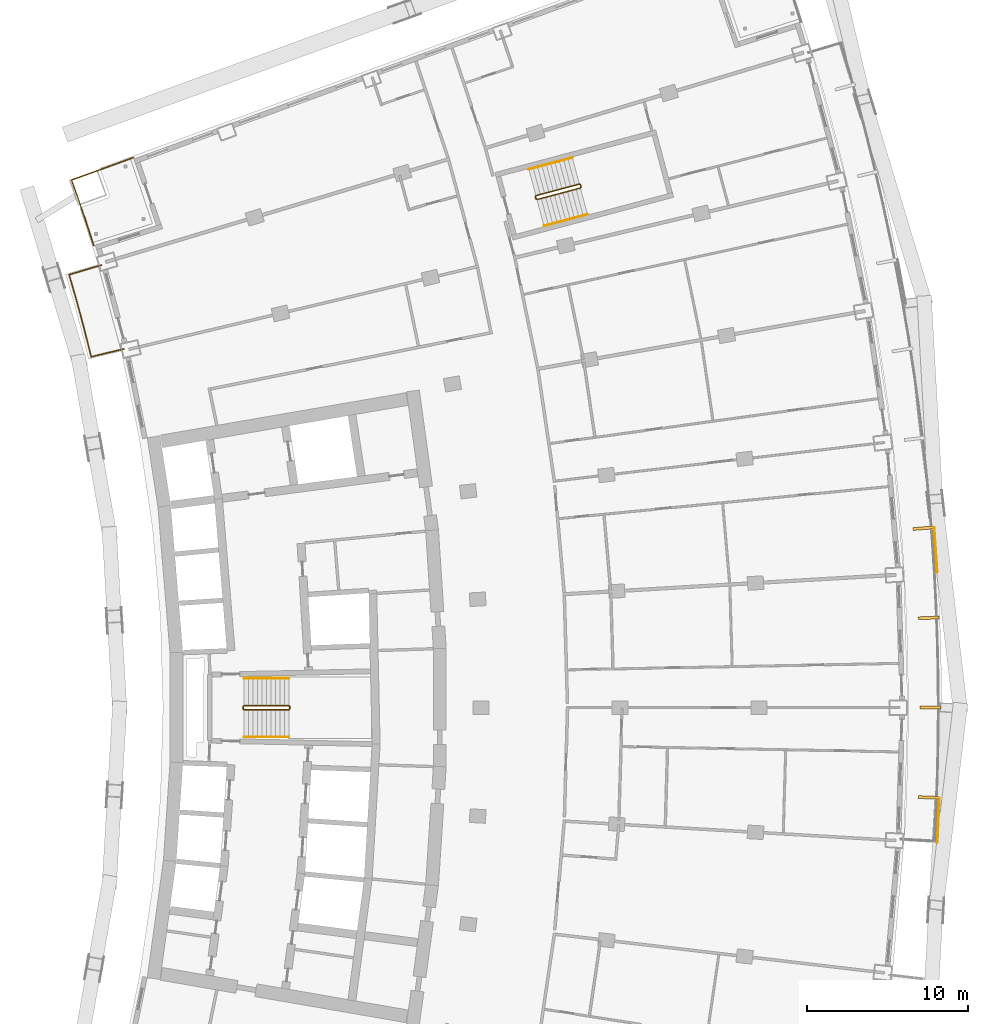
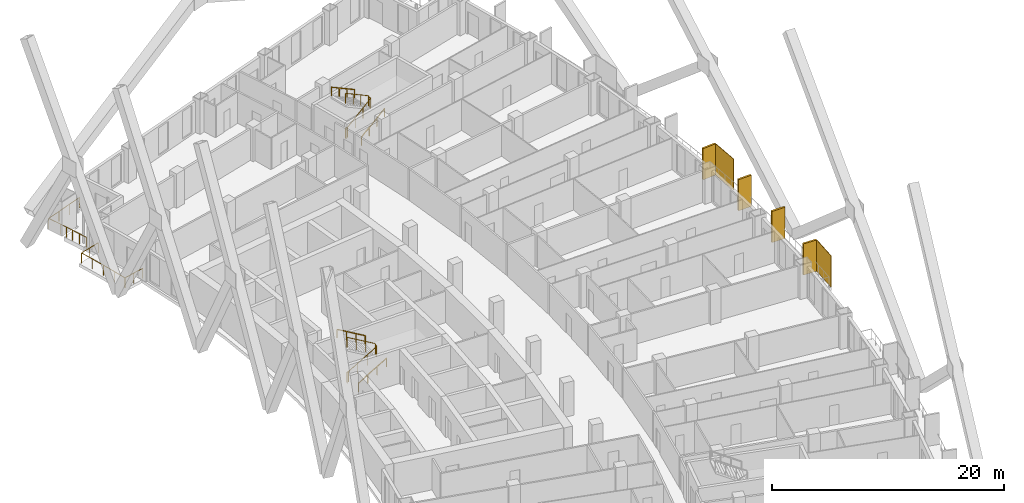
# One storey, part 25 of 26: 8 railings, 6 shading devices.
"""IFC4 building model written with IfcOpenShell, lengths in metres."""

from ifc_helpers import new_model, si_unit, direction, frame, origin, origin_with_axes, origin_2d, place, context, subcontext, project, spatial, rectangle, extrude, material, layer, layer_set, type_object, element, save


model = new_model("IFC4")

# Units and contexts
model_context = context("Model", 3, precision=1e-05, world=origin(), true_north=direction((0.0, 1.0)))
body_context = subcontext(model_context, "Body", "Model", "MODEL_VIEW")
ifc_project = project(units=[si_unit("LENGTHUNIT", "METRE"), si_unit("AREAUNIT", "SQUARE_METRE"), si_unit("VOLUMEUNIT", "CUBIC_METRE"), si_unit("PLANEANGLEUNIT", "RADIAN"), si_unit("MASSUNIT", "GRAM", prefix="KILO")], contexts=[model_context])

# Site, building, storey
site_placement = place(None, origin())
site = spatial("IfcSite", under=ifc_project, at=site_placement, CompositionType="ELEMENT")
building_placement = place(site_placement, origin())
building = spatial("IfcBuilding", under=site, at=building_placement, Name="Alderwake Tower", CompositionType="ELEMENT")
storey_placement = place(building_placement, frame((0.0, 0.0, 82.39990234375)))
storey = spatial("IfcBuildingStorey", under=building, at=storey_placement, Name="L19", CompositionType="ELEMENT", Elevation=82.39990234375)

# Railings
ifc_material_1 = material(Name="Stainless steel 316 rail and posts", Category="steel")
railing_type_1 = type_object("IfcRailingType", Name="Balcony guard 1100", PredefinedType="GUARDRAIL", material=ifc_material_1)
railing_1_placement = place(storey_placement, frame((13.5693359375, 83.343017578125, 0.0)))
element("IfcRailing", 1, at=railing_1_placement, inside=storey, type_object=railing_type_1, Name="Guard BR11", PredefinedType="GUARDRAIL", context=body_context, shape_type="SweptSolid", body=[
    extrude(rectangle(XDim=0.048095703125, YDim=0.048095703125, at=origin_2d()), frame((0.0, 0.0, 1.076171875), z_axis=(-0.972646310656, -0.232291098337, 0.0), x_axis=(0.232291098337, -0.972646310656, 0.0)), (0.0, 0.0, 1.0), 2.099853515625),
    extrude(rectangle(XDim=0.048095703125, YDim=0.048095703125, at=origin_2d()), frame((-2.04248046875, -0.48779296875, 1.076171875), z_axis=(-0.238877101641, 0.971049808358, 0.0), x_axis=(-0.971049808358, -0.238877101641, 0.0)), (0.0, 0.0, 1.0), 1.2724609375),
    extrude(rectangle(XDim=0.048095703125, YDim=0.048095703125, at=origin_2d()), frame((-2.346435546875, 0.747802734375, 1.076171875), z_axis=(-0.252487086228, 0.967600264204, 0.0), x_axis=(-0.967600264204, -0.252487086228, 0.0)), (0.0, 0.0, 1.0), 1.3720703125),
    extrude(rectangle(XDim=0.048095703125, YDim=0.048095703125, at=origin_2d()), frame((-2.69287109375, 2.075439453125, 1.076171875), z_axis=(-0.266487604617, 0.963838345671, 0.0), x_axis=(-0.963838345671, -0.266487604617, 0.0)), (0.0, 0.0, 1.0), 1.372314453125),
    extrude(rectangle(XDim=0.048095703125, YDim=0.048095703125, at=origin_2d()), frame((-3.05859375, 3.398193359375, 1.076171875), z_axis=(-0.279963157487, 0.960010744966, 0.0), x_axis=(-0.960010744966, -0.279963157487, 0.0)), (0.0, 0.0, 1.0), 1.272216796875),
    extrude(rectangle(XDim=0.048095703125, YDim=0.048095703125, at=origin_2d()), frame((-3.414794921875, 4.61962890625, 1.076171875), z_axis=(0.958091458885, 0.286462486918, 0.0), x_axis=(-0.286462486918, 0.958091458885, 0.0)), (0.0, 0.0, 1.0), 2.099853515625),
    extrude(rectangle(XDim=0.0419921875, YDim=0.0419921875, at=origin_2d()), frame((0.0, 0.0, 0.0), z_axis=(0.0, 0.0, 1.0), x_axis=(-0.972646310656, -0.232291098337, 0.0)), (0.0, 0.0, 1.0), 1.052001953125),
    extrude(rectangle(XDim=0.0419921875, YDim=0.0419921875, at=origin_2d()), frame((-1.021240234375, -0.243896484375, 0.0), z_axis=(0.0, 0.0, 1.0), x_axis=(-0.972646310656, -0.232291098337, 0.0)), (0.0, 0.0, 1.0), 1.052001953125),
    extrude(rectangle(XDim=0.0419921875, YDim=0.0419921875, at=origin_2d()), frame((-2.04248046875, -0.48779296875, 0.0), z_axis=(0.0, 0.0, 1.0), x_axis=(-0.238877101641, 0.971049808358, 0.0)), (0.0, 0.0, 1.0), 1.052001953125),
    extrude(rectangle(XDim=0.0419921875, YDim=0.0419921875, at=origin_2d()), frame((-2.346435546875, 0.747802734375, 0.0), z_axis=(0.0, 0.0, 1.0), x_axis=(-0.252487086228, 0.967600264204, 0.0)), (0.0, 0.0, 1.0), 1.052001953125),
    extrude(rectangle(XDim=0.0419921875, YDim=0.0419921875, at=origin_2d()), frame((-2.69287109375, 2.075439453125, 0.0), z_axis=(0.0, 0.0, 1.0), x_axis=(-0.266487604617, 0.963838345671, 0.0)), (0.0, 0.0, 1.0), 1.052001953125),
    extrude(rectangle(XDim=0.0419921875, YDim=0.0419921875, at=origin_2d()), frame((-3.05859375, 3.398193359375, 0.0), z_axis=(0.0, 0.0, 1.0), x_axis=(-0.279963157487, 0.960010744966, 0.0)), (0.0, 0.0, 1.0), 1.052001953125),
    extrude(rectangle(XDim=0.0419921875, YDim=0.0419921875, at=origin_2d()), frame((-3.414794921875, 4.61962890625, 0.0), z_axis=(0.0, 0.0, 1.0), x_axis=(0.958091458885, 0.286462486918, 0.0)), (0.0, 0.0, 1.0), 1.052001953125),
    extrude(rectangle(XDim=0.0419921875, YDim=0.0419921875, at=origin_2d()), frame((-2.40869140625, 4.92041015625, 0.0), z_axis=(0.0, 0.0, 1.0), x_axis=(0.958091458885, 0.286462486918, 0.0)), (0.0, 0.0, 1.0), 1.052001953125),
    extrude(rectangle(XDim=0.0419921875, YDim=0.0419921875, at=origin_2d()), frame((-1.40283203125, 5.22119140625, 0.0), z_axis=(0.0, 0.0, 1.0), x_axis=(0.958091458885, 0.286462486918, 0.0)), (0.0, 0.0, 1.0), 1.052001953125),
])
railing_2_placement = place(storey_placement, frame((11.688720703125, 89.781982421875, 0.0)))
element("IfcRailing", 2, at=railing_2_placement, inside=storey, type_object=railing_type_1, Name="Guard terrace RN", PredefinedType="GUARDRAIL", context=body_context, shape_type="SweptSolid", body=[
    extrude(rectangle(XDim=0.048095703125, YDim=0.048095703125, at=origin_2d()), frame((0.0, 0.0, 1.076171875), z_axis=(-0.307479326145, 0.951554761426, 0.0), x_axis=(-0.951554761426, -0.307479326145, 0.0)), (0.0, 0.0, 1.0), 1.6015625),
    extrude(rectangle(XDim=0.048095703125, YDim=0.048095703125, at=origin_2d()), frame((-0.492431640625, 1.52392578125, 1.076171875), z_axis=(-0.322283727344, 0.946643121292, 0.0), x_axis=(-0.946643121292, -0.322283727344, 0.0)), (0.0, 0.0, 1.0), 1.4013671875),
    extrude(rectangle(XDim=0.048095703125, YDim=0.048095703125, at=origin_2d()), frame((-0.944091796875, 2.8505859375, 1.076171875), z_axis=(-0.335468607403, 0.942051385778, 0.0), x_axis=(-0.942051385778, -0.335468607403, 0.0)), (0.0, 0.0, 1.0), 1.30126953125),
    extrude(rectangle(XDim=0.048095703125, YDim=0.048095703125, at=origin_2d()), frame((-1.380615234375, 4.076416015625, 1.076171875), z_axis=(0.939708203232, 0.341977327873, 0.0), x_axis=(-0.341977327873, 0.939708203232, 0.0)), (0.0, 0.0, 1.0), 4.10009765625),
    extrude(rectangle(XDim=0.0419921875, YDim=0.0419921875, at=origin_2d()), frame((0.0, 0.0, 0.0), z_axis=(0.0, 0.0, 1.0), x_axis=(-0.307479326145, 0.951554761426, 0.0)), (0.0, 0.0, 1.0), 1.052001953125),
    extrude(rectangle(XDim=0.0419921875, YDim=0.0419921875, at=origin_2d()), frame((-0.24609375, 0.761962890625, 0.0), z_axis=(0.0, 0.0, 1.0), x_axis=(-0.307479326145, 0.951554761426, 0.0)), (0.0, 0.0, 1.0), 1.052001953125),
    extrude(rectangle(XDim=0.0419921875, YDim=0.0419921875, at=origin_2d()), frame((-0.492431640625, 1.52392578125, 0.0), z_axis=(0.0, 0.0, 1.0), x_axis=(-0.322283727344, 0.946643121292, 0.0)), (0.0, 0.0, 1.0), 1.052001953125),
    extrude(rectangle(XDim=0.0419921875, YDim=0.0419921875, at=origin_2d()), frame((-0.71826171875, 2.187255859375, 0.0), z_axis=(0.0, 0.0, 1.0), x_axis=(-0.322283727344, 0.946643121292, 0.0)), (0.0, 0.0, 1.0), 1.052001953125),
    extrude(rectangle(XDim=0.0419921875, YDim=0.0419921875, at=origin_2d()), frame((-0.944091796875, 2.8505859375, 0.0), z_axis=(0.0, 0.0, 1.0), x_axis=(-0.335468607403, 0.942051385778, 0.0)), (0.0, 0.0, 1.0), 1.052001953125),
    extrude(rectangle(XDim=0.0419921875, YDim=0.0419921875, at=origin_2d()), frame((-1.380615234375, 4.076416015625, 0.0), z_axis=(0.0, 0.0, 1.0), x_axis=(0.939708203232, 0.341977327873, 0.0)), (0.0, 0.0, 1.0), 1.052001953125),
    extrude(rectangle(XDim=0.0419921875, YDim=0.0419921875, at=origin_2d()), frame((-0.096435546875, 4.543701171875, 0.0), z_axis=(0.0, 0.0, 1.0), x_axis=(0.939708203232, 0.341977327873, 0.0)), (0.0, 0.0, 1.0), 1.052001953125),
    extrude(rectangle(XDim=0.0419921875, YDim=0.0419921875, at=origin_2d()), frame((1.18798828125, 5.01123046875, 0.0), z_axis=(0.0, 0.0, 1.0), x_axis=(0.939708203232, 0.341977327873, 0.0)), (0.0, 0.0, 1.0), 1.052001953125),
    extrude(rectangle(XDim=0.0419921875, YDim=0.0419921875, at=origin_2d()), frame((2.47216796875, 5.478515625, 0.0), z_axis=(0.0, 0.0, 1.0), x_axis=(0.939708203232, 0.341977327873, 0.0)), (0.0, 0.0, 1.0), 1.052001953125),
])

# Shading devices
ifc_material_2 = material(Name="Bronze anodised aluminium", Category="aluminium")
ifc_layer_1 = layer(ifc_material_2, 0.179931640625)
ifc_layer_set_1 = layer_set([ifc_layer_1], Name="Facade fin 1300")
shading_device_type_1 = type_object("IfcShadingDeviceType", Name="Facade fin 1300", PredefinedType="USERDEFINED", material=ifc_layer_set_1)
for number, where, z_axis, x_axis, name in (
    (3, (63.691162109375, 55.40771484375, 0.0), (0.0, 0.0, 1.0), (0.999243494356, -0.038890088543, 0.0), "Fin"),
    (4, (63.800048828125, 61.0, 0.0), (0.0, 0.0, 1.0), (1.0, 0.0, 0.0), "Fin"),
    (5, (63.691162109375, 66.59228515625, 0.0), (0.0, 0.0, 1.0), (0.999243494356, 0.038890088543, 0.0), "Fin"),
    (6, (63.364990234375, 72.176513671875, 0.0), (0.0, 0.0, 1.0), (0.996975122026, 0.077721335943, 0.0), "Fin"),
):
    element("IfcShadingDevice", number, at=place(storey_placement, frame(where, z_axis=z_axis, x_axis=x_axis)), inside=storey, type_object=shading_device_type_1, Name=name, ObjectType="FIN", PredefinedType="USERDEFINED", context=body_context, shape_type="SweptSolid", body=[
        extrude(rectangle(XDim=1.300048828125, YDim=0.179931640625, at=origin_2d()), origin(), (0.0, 0.0, 1.0), 3.280029296875),
    ])
ifc_material_3 = material(Name="Perforated bronze anodised aluminium", Category="aluminium")
ifc_layer_2 = layer(ifc_material_3, 0.050048828125)
ifc_layer_set_2 = layer_set([ifc_layer_2], Name="Perforated screen panel")
shading_device_type_2 = type_object("IfcShadingDeviceType", Name="Perforated screen panel", PredefinedType="USERDEFINED", material=ifc_layer_set_2)
shading_device_1_placement = place(storey_placement, frame((64.297607421875, 53.981689453125, 0.0), z_axis=(0.0, 0.0, 1.0), x_axis=(0.998819231138, -0.048581308217, 0.0)))
element("IfcShadingDevice", 7, at=shading_device_1_placement, inside=storey, type_object=shading_device_type_2, Name="Screen panel", ObjectType="SCREEN", PredefinedType="USERDEFINED", context=body_context, shape_type="SweptSolid", body=[
    extrude(rectangle(XDim=0.050048828125, YDim=2.802734375, at=origin_2d()), origin(), (0.0, 0.0, 1.0), 3.280029296875),
])
shading_device_2_placement = place(storey_placement, frame((64.1337890625, 70.823486328125, 0.0), z_axis=(0.0, 0.0, 1.0), x_axis=(0.997685465774, 0.067997877779, 0.0)))
element("IfcShadingDevice", 8, at=shading_device_2_placement, inside=storey, type_object=shading_device_type_2, Name="Screen panel", ObjectType="SCREEN", PredefinedType="USERDEFINED", context=body_context, shape_type="SweptSolid", body=[
    extrude(rectangle(XDim=0.050048828125, YDim=2.817138671875, at=origin_2d()), origin(), (0.0, 0.0, 1.0), 3.280029296875),
])

# Railings
ifc_material_4 = material(Name="Stainless steel guard", Category="steel")
railing_type_2 = type_object("IfcRailingType", Name="Stair guard 1100", PredefinedType="GUARDRAIL", material=ifc_material_4)
railing_3_placement = place(storey_placement, frame((20.989990234375, 60.925048828125, 0.0)))
element("IfcRailing", 9, at=railing_3_placement, inside=storey, type_object=railing_type_2, Name="L19 ST-B stair guard 1", PredefinedType="GUARDRAIL", context=body_context, shape_type="SweptSolid", body=[
    extrude(rectangle(XDim=0.048095703125, YDim=0.048095703125, at=origin_2d()), frame((0.0, 0.0, 1.076171875), z_axis=(0.0, 1.0, 0.0), x_axis=(-1.0, 0.0, 0.0)), (0.0, 0.0, 1.0), 0.14990234375),
    extrude(rectangle(XDim=0.048095703125, YDim=0.048095703125, at=origin_2d()), frame((0.0, 0.14990234375, 1.076171875), z_axis=(0.190089865108, -0.759432192796, 0.622196582865), x_axis=(0.970072785993, 0.242814311512, 0.0)), (0.0, 0.0, 1.0), 0.26318359375),
    extrude(rectangle(XDim=0.048095703125, YDim=0.048095703125, at=origin_2d()), frame((0.050048828125, -0.050048828125, 1.23974609375), z_axis=(0.863393664356, 0.0, 0.504530851732), x_axis=(0.0, 1.0, 0.0)), (0.0, 0.0, 1.0), 3.2431640625),
    extrude(rectangle(XDim=0.048095703125, YDim=0.048095703125, at=origin_2d()), frame((2.85009765625, -0.050048828125, 2.8759765625), z_axis=(0.705375805398, 0.708833529934, 0.0), x_axis=(-0.708833529934, 0.705375805398, 0.0)), (0.0, 0.0, 1.0), 0.070556640625),
    extrude(rectangle(XDim=0.048095703125, YDim=0.048095703125, at=origin_2d()), frame((2.89990234375, 0.0, 2.8759765625), z_axis=(0.0, 1.0, 0.0), x_axis=(-1.0, 0.0, 0.0)), (0.0, 0.0, 1.0), 0.14990234375),
    extrude(rectangle(XDim=0.048095703125, YDim=0.048095703125, at=origin_2d()), frame((2.89990234375, 0.14990234375, 2.8759765625), z_axis=(-0.279546231943, 0.280916556609, 0.91811752648), x_axis=(-0.708833529934, -0.705375805398, 0.0)), (0.0, 0.0, 1.0), 0.17822265625),
    extrude(rectangle(XDim=0.048095703125, YDim=0.048095703125, at=origin_2d()), frame((2.85009765625, 0.199951171875, 3.03955078125), z_axis=(-0.863360870873, 0.0, 0.504586966384), x_axis=(0.0, -1.0, 0.0)), (0.0, 0.0, 1.0), 3.2431640625),
    extrude(rectangle(XDim=0.0419921875, YDim=0.0419921875, at=origin_2d()), frame((0.0, 0.0, 0.0), z_axis=(0.0, 0.0, 1.0), x_axis=(0.0, 1.0, 0.0)), (0.0, 0.0, 1.0), 1.052001953125),
    extrude(rectangle(XDim=0.0419921875, YDim=0.0419921875, at=origin_2d()), frame((0.0, 0.14990234375, 0.0), z_axis=(0.0, 0.0, 1.0), x_axis=(0.242814311512, -0.970072785993, 0.0)), (0.0, 0.0, 1.0), 1.052001953125),
    extrude(rectangle(XDim=0.0419921875, YDim=0.0419921875, at=origin_2d()), frame((0.050048828125, -0.050048828125, 0.163818359375), z_axis=(0.0, 0.0, 1.0), x_axis=(1.0, 0.0, 0.0)), (0.0, 0.0, 1.0), 1.052001953125),
    extrude(rectangle(XDim=0.0419921875, YDim=0.0419921875, at=origin_2d()), frame((0.9833984375, -0.050048828125, 0.709228515625), z_axis=(0.0, 0.0, 1.0), x_axis=(1.0, 0.0, 0.0)), (0.0, 0.0, 1.0), 1.052001953125),
    extrude(rectangle(XDim=0.0419921875, YDim=0.0419921875, at=origin_2d()), frame((1.916748046875, -0.050048828125, 1.254638671875), z_axis=(0.0, 0.0, 1.0), x_axis=(1.0, 0.0, 0.0)), (0.0, 0.0, 1.0), 1.052001953125),
    extrude(rectangle(XDim=0.0419921875, YDim=0.0419921875, at=origin_2d()), frame((2.85009765625, -0.050048828125, 1.800048828125), z_axis=(0.0, 0.0, 1.0), x_axis=(0.705375805398, 0.708833529934, 0.0)), (0.0, 0.0, 1.0), 1.052001953125),
    extrude(rectangle(XDim=0.0419921875, YDim=0.0419921875, at=origin_2d()), frame((2.89990234375, 0.0, 1.800048828125), z_axis=(0.0, 0.0, 1.0), x_axis=(0.0, 1.0, 0.0)), (0.0, 0.0, 1.0), 1.052001953125),
    extrude(rectangle(XDim=0.0419921875, YDim=0.0419921875, at=origin_2d()), frame((2.89990234375, 0.14990234375, 1.800048828125), z_axis=(0.0, 0.0, 1.0), x_axis=(-0.705375805398, 0.708833529934, 0.0)), (0.0, 0.0, 1.0), 1.052001953125),
    extrude(rectangle(XDim=0.0419921875, YDim=0.0419921875, at=origin_2d()), frame((2.85009765625, 0.199951171875, 1.963623046875), z_axis=(0.0, 0.0, 1.0), x_axis=(-1.0, 0.0, 0.0)), (0.0, 0.0, 1.0), 1.052001953125),
    extrude(rectangle(XDim=0.0419921875, YDim=0.0419921875, at=origin_2d()), frame((1.916748046875, 0.199951171875, 2.509033203125), z_axis=(0.0, 0.0, 1.0), x_axis=(-1.0, 0.0, 0.0)), (0.0, 0.0, 1.0), 1.052001953125),
    extrude(rectangle(XDim=0.0419921875, YDim=0.0419921875, at=origin_2d()), frame((0.9833984375, 0.199951171875, 3.0546875), z_axis=(0.0, 0.0, 1.0), x_axis=(-1.0, 0.0, 0.0)), (0.0, 0.0, 1.0), 1.052001953125),
    extrude(rectangle(XDim=0.0419921875, YDim=0.0419921875, at=origin_2d()), frame((0.050048828125, 0.199951171875, 3.60009765625), z_axis=(0.0, 0.0, 1.0), x_axis=(-1.0, 0.0, 0.0)), (0.0, 0.0, 1.0), 1.052001953125),
])
railing_4_placement = place(storey_placement, frame((39.23291015625, 92.6806640625, 0.0)))
element("IfcRailing", 10, at=railing_4_placement, inside=storey, type_object=railing_type_2, Name="L19 ST-A stair guard 1", PredefinedType="GUARDRAIL", context=body_context, shape_type="SweptSolid", body=[
    extrude(rectangle(XDim=0.048095703125, YDim=0.048095703125, at=origin_2d()), frame((0.0, 0.0, 1.076171875), z_axis=(-0.257055032184, 0.966396766566, 0.0), x_axis=(-0.966396766566, -0.257055032184, 0.0)), (0.0, 0.0, 1.0), 0.150146484375),
    extrude(rectangle(XDim=0.048095703125, YDim=0.048095703125, at=origin_2d()), frame((-0.03857421875, 0.14501953125, 1.076171875), z_axis=(0.379152066478, -0.68506938173, 0.622031874345), x_axis=(0.874937996095, 0.484234966715, 0.0)), (0.0, 0.0, 1.0), 0.263427734375),
    extrude(rectangle(XDim=0.048095703125, YDim=0.048095703125, at=origin_2d()), frame((0.061279296875, -0.035400390625, 1.23974609375), z_axis=(0.834290631165, 0.222236594766, 0.504549342183), x_axis=(-0.257402139082, 0.966304371715, 0.0)), (0.0, 0.0, 1.0), 3.242919921875),
    extrude(rectangle(XDim=0.048095703125, YDim=0.048095703125, at=origin_2d()), frame((2.766845703125, 0.685302734375, 2.8759765625), z_axis=(0.500220121494, 0.865898279276, 0.0), x_axis=(-0.865898279276, 0.500220121494, 0.0)), (0.0, 0.0, 1.0), 0.07080078125),
    extrude(rectangle(XDim=0.048095703125, YDim=0.048095703125, at=origin_2d()), frame((2.80224609375, 0.74658203125, 2.8759765625), z_axis=(-0.257459803502, 0.966289009345, 0.0), x_axis=(-0.966289009345, -0.257459803502, 0.0)), (0.0, 0.0, 1.0), 0.14990234375),
    extrude(rectangle(XDim=0.048095703125, YDim=0.048095703125, at=origin_2d()), frame((2.763671875, 0.891357421875, 2.8759765625), z_axis=(-0.34252489212, 0.200034536998, 0.917966710881), x_axis=(-0.504300490226, -0.863528236688, 0.0)), (0.0, 0.0, 1.0), 0.17822265625),
    extrude(rectangle(XDim=0.048095703125, YDim=0.048095703125, at=origin_2d()), frame((2.70263671875, 0.927001953125, 3.03955078125), z_axis=(-0.834281824786, -0.222214197128, 0.504573768072), x_axis=(0.257380452725, -0.966310148221, 0.0)), (0.0, 0.0, 1.0), 3.2431640625),
    extrude(rectangle(XDim=0.0419921875, YDim=0.0419921875, at=origin_2d()), frame((0.0, 0.0, 0.0), z_axis=(0.0, 0.0, 1.0), x_axis=(-0.257055032184, 0.966396766566, 0.0)), (0.0, 0.0, 1.0), 1.052001953125),
    extrude(rectangle(XDim=0.0419921875, YDim=0.0419921875, at=origin_2d()), frame((-0.03857421875, 0.14501953125, 0.0), z_axis=(0.0, 0.0, 1.0), x_axis=(0.484234966715, -0.874937996095, 0.0)), (0.0, 0.0, 1.0), 1.052001953125),
    extrude(rectangle(XDim=0.0419921875, YDim=0.0419921875, at=origin_2d()), frame((0.061279296875, -0.035400390625, 0.163818359375), z_axis=(0.0, 0.0, 1.0), x_axis=(0.966304371715, 0.257402139082, 0.0)), (0.0, 0.0, 1.0), 1.052001953125),
    extrude(rectangle(XDim=0.0419921875, YDim=0.0419921875, at=origin_2d()), frame((0.963134765625, 0.204833984375, 0.709228515625), z_axis=(0.0, 0.0, 1.0), x_axis=(0.966304371715, 0.257402139082, 0.0)), (0.0, 0.0, 1.0), 1.052001953125),
    extrude(rectangle(XDim=0.0419921875, YDim=0.0419921875, at=origin_2d()), frame((1.864990234375, 0.445068359375, 1.254638671875), z_axis=(0.0, 0.0, 1.0), x_axis=(0.966304371715, 0.257402139082, 0.0)), (0.0, 0.0, 1.0), 1.052001953125),
    extrude(rectangle(XDim=0.0419921875, YDim=0.0419921875, at=origin_2d()), frame((2.766845703125, 0.685302734375, 1.800048828125), z_axis=(0.0, 0.0, 1.0), x_axis=(0.500220121494, 0.865898279276, 0.0)), (0.0, 0.0, 1.0), 1.052001953125),
    extrude(rectangle(XDim=0.0419921875, YDim=0.0419921875, at=origin_2d()), frame((2.80224609375, 0.74658203125, 1.800048828125), z_axis=(0.0, 0.0, 1.0), x_axis=(-0.257459803502, 0.966289009345, 0.0)), (0.0, 0.0, 1.0), 1.052001953125),
    extrude(rectangle(XDim=0.0419921875, YDim=0.0419921875, at=origin_2d()), frame((2.763671875, 0.891357421875, 1.800048828125), z_axis=(0.0, 0.0, 1.0), x_axis=(-0.863528236688, 0.504300490226, 0.0)), (0.0, 0.0, 1.0), 1.052001953125),
    extrude(rectangle(XDim=0.0419921875, YDim=0.0419921875, at=origin_2d()), frame((2.70263671875, 0.927001953125, 1.963623046875), z_axis=(0.0, 0.0, 1.0), x_axis=(-0.966310148221, -0.257380452725, 0.0)), (0.0, 0.0, 1.0), 1.052001953125),
    extrude(rectangle(XDim=0.0419921875, YDim=0.0419921875, at=origin_2d()), frame((1.80078125, 0.686767578125, 2.509033203125), z_axis=(0.0, 0.0, 1.0), x_axis=(-0.966310148221, -0.257380452725, 0.0)), (0.0, 0.0, 1.0), 1.052001953125),
    extrude(rectangle(XDim=0.0419921875, YDim=0.0419921875, at=origin_2d()), frame((0.898681640625, 0.446533203125, 3.0546875), z_axis=(0.0, 0.0, 1.0), x_axis=(-0.966310148221, -0.257380452725, 0.0)), (0.0, 0.0, 1.0), 1.052001953125),
    extrude(rectangle(XDim=0.0419921875, YDim=0.0419921875, at=origin_2d()), frame((-0.003173828125, 0.206298828125, 3.60009765625), z_axis=(0.0, 0.0, 1.0), x_axis=(-0.966310148221, -0.257380452725, 0.0)), (0.0, 0.0, 1.0), 1.052001953125),
])
ifc_material_5 = material(Name="Stainless steel handrail", Category="steel")
railing_type_3 = type_object("IfcRailingType", Name="Stair handrail 900", PredefinedType="HANDRAIL", material=ifc_material_5)
railing_5_placement = place(storey_placement, frame((21.0400390625, 59.175048828125, 0.163818359375)))
element("IfcRailing", 11, at=railing_5_placement, inside=storey, type_object=railing_type_3, Name="L19 ST-B stair handrail 1", PredefinedType="HANDRAIL", context=body_context, shape_type="SweptSolid", body=[
    extrude(rectangle(XDim=0.048095703125, YDim=0.048095703125, at=origin_2d()), frame((0.0, 0.0, 0.8759765625), z_axis=(0.863393664356, 0.0, 0.504530851732), x_axis=(0.0, 1.0, 0.0)), (0.0, 0.0, 1.0), 3.2431640625),
    extrude(rectangle(XDim=0.0419921875, YDim=0.0419921875, at=origin_2d()), origin_with_axes(), (0.0, 0.0, 1.0), 0.851806640625),
    extrude(rectangle(XDim=0.0419921875, YDim=0.0419921875, at=origin_2d()), frame((0.933349609375, 0.0, 0.54541015625), z_axis=(0.0, 0.0, 1.0), x_axis=(1.0, 0.0, 0.0)), (0.0, 0.0, 1.0), 0.851806640625),
    extrude(rectangle(XDim=0.0419921875, YDim=0.0419921875, at=origin_2d()), frame((1.86669921875, 0.0, 1.0908203125), z_axis=(0.0, 0.0, 1.0), x_axis=(1.0, 0.0, 0.0)), (0.0, 0.0, 1.0), 0.851806640625),
    extrude(rectangle(XDim=0.0419921875, YDim=0.0419921875, at=origin_2d()), frame((2.800048828125, 0.0, 1.63623046875), z_axis=(0.0, 0.0, 1.0), x_axis=(1.0, 0.0, 0.0)), (0.0, 0.0, 1.0), 0.851806640625),
])
railing_6_placement = place(storey_placement, frame((23.840087890625, 62.824951171875, 1.963623046875)))
element("IfcRailing", 12, at=railing_6_placement, inside=storey, type_object=railing_type_3, Name="L19 ST-B stair handrail 2", PredefinedType="HANDRAIL", context=body_context, shape_type="SweptSolid", body=[
    extrude(rectangle(XDim=0.048095703125, YDim=0.048095703125, at=origin_2d()), frame((0.0, 0.0, 0.8759765625), z_axis=(-0.863360870873, 0.0, 0.504586966384), x_axis=(0.0, -1.0, 0.0)), (0.0, 0.0, 1.0), 3.2431640625),
    extrude(rectangle(XDim=0.0419921875, YDim=0.0419921875, at=origin_2d()), frame((0.0, 0.0, 0.0), z_axis=(0.0, 0.0, 1.0), x_axis=(-1.0, 0.0, 0.0)), (0.0, 0.0, 1.0), 0.851806640625),
    extrude(rectangle(XDim=0.0419921875, YDim=0.0419921875, at=origin_2d()), frame((-0.933349609375, 0.0, 0.54541015625), z_axis=(0.0, 0.0, 1.0), x_axis=(-1.0, 0.0, 0.0)), (0.0, 0.0, 1.0), 0.851806640625),
    extrude(rectangle(XDim=0.0419921875, YDim=0.0419921875, at=origin_2d()), frame((-1.86669921875, 0.0, 1.091064453125), z_axis=(0.0, 0.0, 1.0), x_axis=(-1.0, 0.0, 0.0)), (0.0, 0.0, 1.0), 0.851806640625),
    extrude(rectangle(XDim=0.0419921875, YDim=0.0419921875, at=origin_2d()), frame((-2.800048828125, 0.0, 1.636474609375), z_axis=(0.0, 0.0, 1.0), x_axis=(-1.0, 0.0, 0.0)), (0.0, 0.0, 1.0), 0.851806640625),
])
railing_7_placement = place(storey_placement, frame((39.731689453125, 91.002685546875, 0.163818359375)))
element("IfcRailing", 13, at=railing_7_placement, inside=storey, type_object=railing_type_3, Name="L19 ST-A stair handrail 1", PredefinedType="HANDRAIL", context=body_context, shape_type="SweptSolid", body=[
    extrude(rectangle(XDim=0.048095703125, YDim=0.048095703125, at=origin_2d()), frame((0.0, 0.0, 0.8759765625), z_axis=(0.834290631165, 0.222236594766, 0.504549342183), x_axis=(-0.257402139082, 0.966304371715, 0.0)), (0.0, 0.0, 1.0), 3.242919921875),
    extrude(rectangle(XDim=0.0419921875, YDim=0.0419921875, at=origin_2d()), frame((0.0, 0.0, 0.0), z_axis=(0.0, 0.0, 1.0), x_axis=(0.966304371715, 0.257402139082, 0.0)), (0.0, 0.0, 1.0), 0.851806640625),
    extrude(rectangle(XDim=0.0419921875, YDim=0.0419921875, at=origin_2d()), frame((0.90185546875, 0.240234375, 0.54541015625), z_axis=(0.0, 0.0, 1.0), x_axis=(0.966304371715, 0.257402139082, 0.0)), (0.0, 0.0, 1.0), 0.851806640625),
    extrude(rectangle(XDim=0.0419921875, YDim=0.0419921875, at=origin_2d()), frame((1.8037109375, 0.48046875, 1.0908203125), z_axis=(0.0, 0.0, 1.0), x_axis=(0.966304371715, 0.257402139082, 0.0)), (0.0, 0.0, 1.0), 0.851806640625),
    extrude(rectangle(XDim=0.0419921875, YDim=0.0419921875, at=origin_2d()), frame((2.70556640625, 0.720703125, 1.63623046875), z_axis=(0.0, 0.0, 1.0), x_axis=(0.966304371715, 0.257402139082, 0.0)), (0.0, 0.0, 1.0), 0.851806640625),
])
railing_8_placement = place(storey_placement, frame((41.497802734375, 95.250244140625, 1.963623046875)))
element("IfcRailing", 14, at=railing_8_placement, inside=storey, type_object=railing_type_3, Name="L19 ST-A stair handrail 2", PredefinedType="HANDRAIL", context=body_context, shape_type="SweptSolid", body=[
    extrude(rectangle(XDim=0.048095703125, YDim=0.048095703125, at=origin_2d()), frame((0.0, 0.0, 0.8759765625), z_axis=(-0.834258940753, -0.22222815314, 0.504605457487), x_axis=(0.257402139082, -0.966304371715, 0.0)), (0.0, 0.0, 1.0), 3.2431640625),
    extrude(rectangle(XDim=0.0419921875, YDim=0.0419921875, at=origin_2d()), frame((0.0, 0.0, 0.0), z_axis=(0.0, 0.0, 1.0), x_axis=(-0.966304371715, -0.257402139082, 0.0)), (0.0, 0.0, 1.0), 0.851806640625),
    extrude(rectangle(XDim=0.0419921875, YDim=0.0419921875, at=origin_2d()), frame((-0.90185546875, -0.240234375, 0.54541015625), z_axis=(0.0, 0.0, 1.0), x_axis=(-0.966304371715, -0.257402139082, 0.0)), (0.0, 0.0, 1.0), 0.851806640625),
    extrude(rectangle(XDim=0.0419921875, YDim=0.0419921875, at=origin_2d()), frame((-1.8037109375, -0.48046875, 1.091064453125), z_axis=(0.0, 0.0, 1.0), x_axis=(-0.966304371715, -0.257402139082, 0.0)), (0.0, 0.0, 1.0), 0.851806640625),
    extrude(rectangle(XDim=0.0419921875, YDim=0.0419921875, at=origin_2d()), frame((-2.70556640625, -0.720703125, 1.636474609375), z_axis=(0.0, 0.0, 1.0), x_axis=(-0.966304371715, -0.257402139082, 0.0)), (0.0, 0.0, 1.0), 0.851806640625),
])

save(model, "model.ifc")
